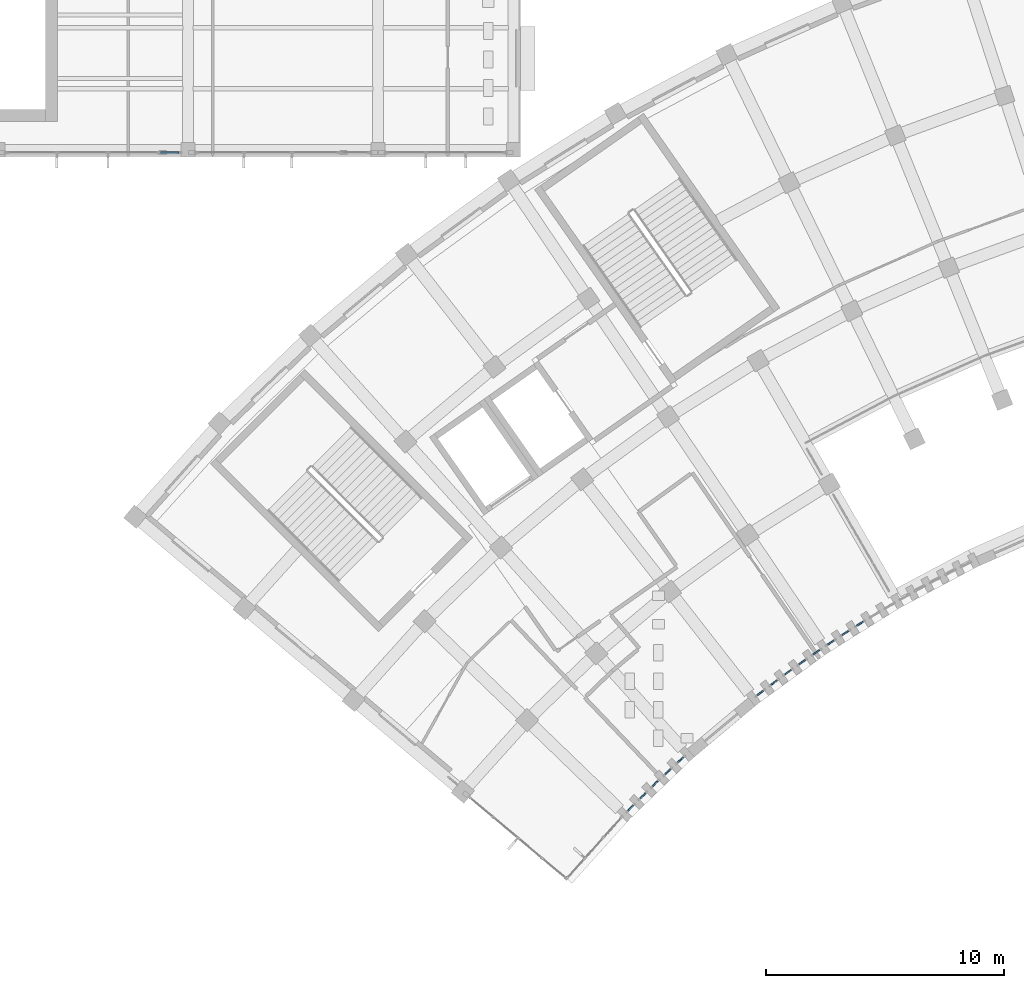
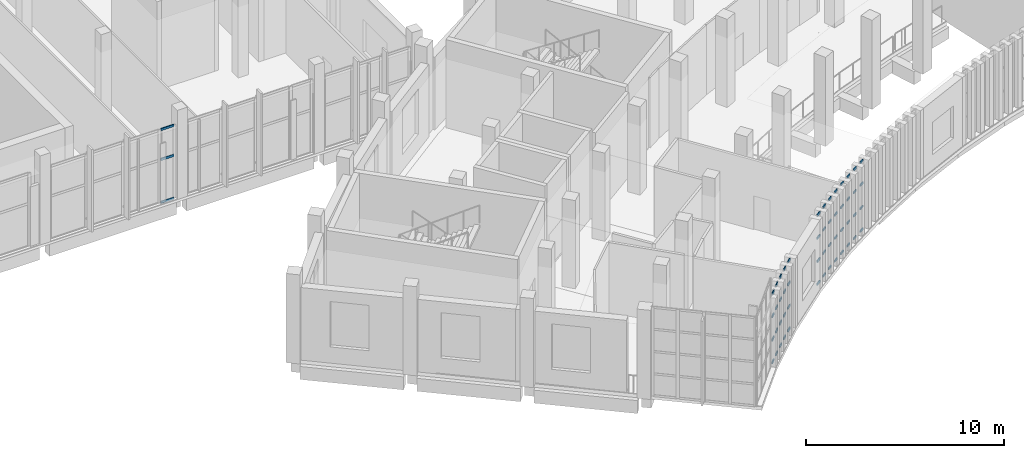
# One storey, part 30 of 112: 55 members, 14 elements without a shape of their own.
"""IFC4 building model written with IfcOpenShell, lengths in metres."""

import ifcopenshell
import ifcopenshell.guid

model = None  # the IFC model being written
_history = None  # IfcOwnerHistory: only IFC2X3 demands one
_inside = {}  # id of a spatial element -> (the spatial element, [elements in it])
_under = {}  # id of a project, library or spatial element -> (it, [spatial elements below it])
_declared = {}  # id of a project -> (the project, [libraries it declares])
_typed = {}  # id of a type object -> (the type object, [elements of that type])
_made_of = {}  # id of a material, layer set ... -> (it, [elements and type objects made of it])


def new_model(schema):
    """Start an empty IFC model of exactly this schema.

    Asked for "IFC4X3", IfcOpenShell would pick the latest addendum, in which some entities
    have other attributes; the version numbers below select the first issue.
    IFC2X3 requires an IfcOwnerHistory on every rooted entity: one is made here for all.
    """
    global model, _history
    if schema == "IFC4X3":
        model = ifcopenshell.file(schema_version=(4, 3, 0, 0))
    else:
        model = ifcopenshell.file(schema=schema)
    _inside.clear()
    _under.clear()
    _declared.clear()
    _typed.clear()
    _made_of.clear()
    _history = None
    if model.schema == "IFC2X3":
        org = make("IfcOrganization", Name="unknown")
        user = make(
            "IfcPersonAndOrganization",
            ThePerson=make("IfcPerson", FamilyName="unknown"),
            TheOrganization=org,
        )
        app = make(
            "IfcApplication",
            ApplicationDeveloper=org,
            Version="unknown",
            ApplicationFullName="unknown",
            ApplicationIdentifier="unknown",
        )
        _history = make(
            "IfcOwnerHistory",
            OwningUser=user,
            OwningApplication=app,
            ChangeAction="ADDED",
            CreationDate=0,
        )
    return model


def make(cls, **values):
    """One entity of the class cls with the attributes given. An attribute that is None is left unset."""
    return model.create_entity(
        cls, **{name: value for name, value in values.items() if value is not None}
    )


def rooted(cls, **values):
    """An entity with a GlobalId (a new one), such as an element, a storey or a relation."""
    return make(cls, GlobalId=ifcopenshell.guid.new(), OwnerHistory=_history, **values)


def si_unit(unit_type, name, prefix=None):
    """IfcSIUnit, for example si_unit("LENGTHUNIT", "METRE", prefix="MILLI")."""
    return make("IfcSIUnit", UnitType=unit_type, Prefix=prefix, Name=name)


def assignment(units):
    """IfcUnitAssignment: the units of a project."""
    return None if units is None else make("IfcUnitAssignment", Units=units)


def point(xyz):
    """IfcCartesianPoint."""
    return None if xyz is None else make("IfcCartesianPoint", Coordinates=xyz)


def direction(xyz):
    """IfcDirection."""
    return None if xyz is None else make("IfcDirection", DirectionRatios=xyz)


def frame(location, z_axis=None, x_axis=None):
    """IfcAxis2Placement3D, a coordinate frame: its origin and axes. An axis left out is left unset."""
    return make(
        "IfcAxis2Placement3D",
        Location=point(location),
        Axis=direction(z_axis),
        RefDirection=direction(x_axis),
    )


def frame_2d(location, x_axis=None):
    """IfcAxis2Placement2D, a coordinate frame in the plane: its origin and x axis."""
    return make(
        "IfcAxis2Placement2D", Location=point(location), RefDirection=direction(x_axis)
    )


def origin():
    """The frame at (0, 0, 0) with its axes left unset."""
    return frame((0.0, 0.0, 0.0))


def origin_2d():
    """The frame at (0, 0) in the plane with its x axis left unset."""
    return frame_2d((0.0, 0.0))


def place(relative_to, where):
    """IfcLocalPlacement: puts the frame where relative to a parent placement (None: the world)."""
    return make(
        "IfcLocalPlacement", PlacementRelTo=relative_to, RelativePlacement=where
    )


def context(
    kind, dimensions, precision=None, world=None, true_north=None, identifier=None
):
    """IfcGeometricRepresentationContext, for example the 3D "Model" context."""
    return make(
        "IfcGeometricRepresentationContext",
        ContextIdentifier=identifier,
        ContextType=kind,
        CoordinateSpaceDimension=dimensions,
        Precision=precision,
        WorldCoordinateSystem=world,
        TrueNorth=true_north,
    )


def subcontext(parent, identifier, kind, view, scale=None):
    """IfcGeometricRepresentationSubContext, for example "Body" below "Model"."""
    return make(
        "IfcGeometricRepresentationSubContext",
        ContextIdentifier=identifier,
        ContextType=kind,
        ParentContext=parent,
        TargetScale=scale,
        TargetView=view,
    )


def project(units=None, contexts=None):
    """IfcProject with its units and contexts."""
    return rooted(
        "IfcProject",
        Name="project",
        RepresentationContexts=contexts,
        UnitsInContext=assignment(units),
    )


def spatial(cls, under=None, at=None, **own):
    """A site, building, storey or space (cls), placed at a placement, below another one or the project."""
    s = rooted(cls, ObjectPlacement=at, **own)
    if under is not None:
        _under.setdefault(under.id(), (under, []))[1].append(s)
    return s


def profile(cls, at=None, kind="AREA", **sizes):
    """A parametric profile (cls). Its sizes go by their IFC names, for example OverallWidth=200.0."""
    return make(cls, ProfileType=kind, Position=at, **sizes)


def rectangle(**sizes):
    """IfcRectangleProfileDef."""
    return profile("IfcRectangleProfileDef", **sizes)


def extrude(swept, where, along, depth):
    """IfcExtrudedAreaSolid: the profile swept, set in the frame where, extruded along a direction by depth."""
    return make(
        "IfcExtrudedAreaSolid",
        SweptArea=swept,
        Position=where,
        ExtrudedDirection=direction(along),
        Depth=depth,
    )


def shape(context_of_items, identifier, shape_type, items):
    """IfcShapeRepresentation: the items that make up one representation, for example the "Body"."""
    return make(
        "IfcShapeRepresentation",
        ContextOfItems=context_of_items,
        RepresentationIdentifier=identifier,
        RepresentationType=shape_type,
        Items=items,
    )


def material(Name=None, Category=None):
    """IfcMaterial."""
    return make("IfcMaterial", Name=Name, Category=Category)


def layer(
    of_material, thickness, ventilated=None, Name=None, Category=None, Priority=None
):
    """IfcMaterialLayer: one layer of a wall or slab, of a material (None: an air gap)."""
    return make(
        "IfcMaterialLayer",
        Material=of_material,
        LayerThickness=thickness,
        IsVentilated=ventilated,
        Name=Name,
        Category=Category,
        Priority=Priority,
    )


def layer_set(layers, Name=None):
    """IfcMaterialLayerSet."""
    return make("IfcMaterialLayerSet", MaterialLayers=layers, LayerSetName=Name)


def material_profile(
    of_material, cross_section, Name=None, Category=None, Priority=None
):
    """IfcMaterialProfile: a cross section and its material."""
    return make(
        "IfcMaterialProfile",
        Name=Name,
        Material=of_material,
        Profile=cross_section,
        Priority=Priority,
        Category=Category,
    )


def profile_set(profiles, Name=None, composite=None):
    """IfcMaterialProfileSet."""
    return make(
        "IfcMaterialProfileSet",
        Name=Name,
        MaterialProfiles=profiles,
        CompositeProfile=composite,
    )


def made_of(thing, what):
    """Note that an element or type object is made of a material, layer set ...; save() writes the relation."""
    if what is not None:
        _made_of.setdefault(what.id(), (what, []))[1].append(thing)
    return thing


def type_object(cls, material=None, **own):
    """A type object (cls), such as IfcWallType, which elements share."""
    return made_of(rooted(cls, **own), material)


def element(
    cls,
    number,
    at=None,
    inside=None,
    cuts=None,
    type_object=None,
    material=None,
    context=None,
    identifier="Body",
    shape_type=None,
    held_by="IfcProductDefinitionShape",
    body=None,
    shapes=None,
    **own,
):
    """One element of the class cls, such as IfcWall. Its Tag is "e" and its number.

    at: its placement. inside: the storey or other place that contains it. cuts: it is an
    opening in that element (IfcRelVoidsElement). A single representation is given by context,
    identifier, shape_type and body (its items); several are given by shapes. held_by: the class
    of the entity that holds the representations. save() writes the other relations.
    """
    e = rooted(cls, Tag="e%d" % number, ObjectPlacement=at, **own)
    if body is not None:
        shapes = [shape(context, identifier, shape_type, body)]
    if shapes is not None:
        e.Representation = make(held_by, Representations=shapes)
    if inside is not None:
        _inside.setdefault(inside.id(), (inside, []))[1].append(e)
    if cuts is not None:
        rooted(
            "IfcRelVoidsElement", RelatingBuildingElement=cuts, RelatedOpeningElement=e
        )
    if type_object is not None:
        _typed.setdefault(type_object.id(), (type_object, []))[1].append(e)
    return made_of(e, material)


def aggregate(whole, parts):
    """IfcRelAggregates: a whole, such as a stair, and the parts it consists of."""
    return rooted("IfcRelAggregates", RelatingObject=whole, RelatedObjects=parts)


def save(model, path):
    """Write the relations noted so far, then the file.

    IfcRelAggregates (storeys below a building ...), IfcRelContainedInSpatialStructure (elements
    in a storey), IfcRelDefinesByType, IfcRelAssociatesMaterial and IfcRelDeclares: one each for
    every whole, place, type object, material and project.
    """
    for whole, parts in _under.values():
        aggregate(whole, parts)
    for where, things in _inside.values():
        rooted(
            "IfcRelContainedInSpatialStructure",
            RelatedElements=things,
            RelatingStructure=where,
        )
    for kind, things in _typed.values():
        rooted("IfcRelDefinesByType", RelatedObjects=things, RelatingType=kind)
    for what, things in _made_of.values():
        rooted("IfcRelAssociatesMaterial", RelatedObjects=things, RelatingMaterial=what)
    for by, libraries in _declared.values():
        rooted("IfcRelDeclares", RelatingContext=by, RelatedDefinitions=libraries)
    model.write(path)


model = new_model("IFC4")

# Units and contexts
model_context = context("Model", 3, precision=1e-05, world=origin(), true_north=direction((0.0, 1.0)))
body_context = subcontext(model_context, "Body", "Model", "MODEL_VIEW")
ifc_project = project(units=[si_unit("LENGTHUNIT", "METRE"), si_unit("AREAUNIT", "SQUARE_METRE"), si_unit("VOLUMEUNIT", "CUBIC_METRE"), si_unit("PLANEANGLEUNIT", "RADIAN"), si_unit("MASSUNIT", "GRAM", prefix="KILO")], contexts=[model_context])

# Site, building, storey
site_placement = place(None, origin())
site = spatial("IfcSite", under=ifc_project, at=site_placement, CompositionType="ELEMENT")
building_placement = place(site_placement, origin())
building = spatial("IfcBuilding", under=site, at=building_placement, Name="Lunette Opera House", CompositionType="ELEMENT")
storey_placement = place(building_placement, frame((0.0, 0.0, 6.0)))
storey = spatial("IfcBuildingStorey", under=building, at=storey_placement, Name="L01", CompositionType="ELEMENT", Elevation=6.0)

# Curtain wall, members
ifc_material_1 = material(Name="Aluminium", Category="aluminium")
ifc_layer_1 = layer(ifc_material_1, 0.1201171875)
ifc_layer_set_1 = layer_set([ifc_layer_1], Name="Aluminium")
curtain_wall_type_1 = type_object("IfcCurtainWallType", Name="SLOT CURTAIN WALL", PredefinedType="NOTDEFINED", material=ifc_layer_set_1)
curtain_wall_1_placement = place(storey_placement, origin())
curtain_wall_1 = element("IfcCurtainWall", 1, at=curtain_wall_1_placement, inside=storey, type_object=curtain_wall_type_1, Name="Slot Curtain Wall CS001 L01", PredefinedType="NOTDEFINED")
ifc_material_2 = material(Name="Aluminium", Category="aluminium")
ifc_material_profile_1 = material_profile(ifc_material_2, rectangle(XDim=0.06005859375, YDim=0.1201171875, at=origin_2d()), Name="TRANSOM 60 X 120")
ifc_profile_set_1 = profile_set([ifc_material_profile_1], Name="Aluminium")
member_type_1 = type_object("IfcMemberType", Name="TRANSOM 60 X 120", PredefinedType="USERDEFINED", material=ifc_profile_set_1)
member_1_placement = place(storey_placement, frame((58.52490234375, 36.48095703125, 0.030029296875), z_axis=(0.698805007599, 0.715312212502, 0.0), x_axis=(-0.715312212502, 0.698805007599, 0.0)))
member_1 = element("IfcMember", 2, at=member_1_placement, type_object=member_type_1, Name="FC-X2002 transom 1.1", ObjectType="TRANSOM", PredefinedType="USERDEFINED", context=body_context, shape_type="SweptSolid", body=[
    extrude(rectangle(XDim=0.06005859375, YDim=0.1201171875, at=origin_2d()), origin(), (0.0, 0.0, 1.0), 0.310546875),
])
member_2_placement = place(storey_placement, frame((58.52490234375, 36.48095703125, 1.43310546875), z_axis=(0.698805007599, 0.715312212502, 0.0), x_axis=(-0.715312212502, 0.698805007599, 0.0)))
member_2 = element("IfcMember", 3, at=member_2_placement, type_object=member_type_1, Name="FC-X2002 transom 1.2", ObjectType="TRANSOM", PredefinedType="USERDEFINED", context=body_context, shape_type="SweptSolid", body=[
    extrude(rectangle(XDim=0.06005859375, YDim=0.1201171875, at=origin_2d()), origin(), (0.0, 0.0, 1.0), 0.310546875),
])
member_3_placement = place(storey_placement, frame((58.52490234375, 36.48095703125, 2.866943359375), z_axis=(0.698805007599, 0.715312212502, 0.0), x_axis=(-0.715312212502, 0.698805007599, 0.0)))
member_3 = element("IfcMember", 4, at=member_3_placement, type_object=member_type_1, Name="FC-X2002 transom 1.3", ObjectType="TRANSOM", PredefinedType="USERDEFINED", context=body_context, shape_type="SweptSolid", body=[
    extrude(rectangle(XDim=0.06005859375, YDim=0.1201171875, at=origin_2d()), origin(), (0.0, 0.0, 1.0), 0.310546875),
])
member_4_placement = place(storey_placement, frame((58.52490234375, 36.48095703125, 4.27001953125), z_axis=(0.698805007599, 0.715312212502, 0.0), x_axis=(-0.715312212502, 0.698805007599, 0.0)))
member_4 = element("IfcMember", 5, at=member_4_placement, type_object=member_type_1, Name="FC-X2002 transom 1.4", ObjectType="TRANSOM", PredefinedType="USERDEFINED", context=body_context, shape_type="SweptSolid", body=[
    extrude(rectangle(XDim=0.06005859375, YDim=0.1201171875, at=origin_2d()), origin(), (0.0, 0.0, 1.0), 0.310546875),
])
aggregate(curtain_wall_1, [member_1, member_2, member_3, member_4])

curtain_wall_2_placement = place(storey_placement, origin())
curtain_wall_2 = element("IfcCurtainWall", 6, at=curtain_wall_2_placement, inside=storey, type_object=curtain_wall_type_1, Name="Slot Curtain Wall CS002 L01", PredefinedType="NOTDEFINED")
member_5_placement = place(storey_placement, frame((59.03759765625, 37.001220703125, 0.030029296875), z_axis=(0.710635387605, 0.703560477773, 0.0), x_axis=(-0.703560477773, 0.710635387605, 0.0)))
member_5 = element("IfcMember", 7, at=member_5_placement, type_object=member_type_1, Name="FC-X2004 transom 1.1", ObjectType="TRANSOM", PredefinedType="USERDEFINED", context=body_context, shape_type="SweptSolid", body=[
    extrude(rectangle(XDim=0.06005859375, YDim=0.1201171875, at=origin_2d()), origin(), (0.0, 0.0, 1.0), 0.310546875),
])
member_6_placement = place(storey_placement, frame((59.03759765625, 37.001220703125, 1.43310546875), z_axis=(0.710635387605, 0.703560477773, 0.0), x_axis=(-0.703560477773, 0.710635387605, 0.0)))
member_6 = element("IfcMember", 8, at=member_6_placement, type_object=member_type_1, Name="FC-X2004 transom 1.2", ObjectType="TRANSOM", PredefinedType="USERDEFINED", context=body_context, shape_type="SweptSolid", body=[
    extrude(rectangle(XDim=0.06005859375, YDim=0.1201171875, at=origin_2d()), origin(), (0.0, 0.0, 1.0), 0.310546875),
])
member_7_placement = place(storey_placement, frame((59.03759765625, 37.001220703125, 2.866943359375), z_axis=(0.710635387605, 0.703560477773, 0.0), x_axis=(-0.703560477773, 0.710635387605, 0.0)))
member_7 = element("IfcMember", 9, at=member_7_placement, type_object=member_type_1, Name="FC-X2004 transom 1.3", ObjectType="TRANSOM", PredefinedType="USERDEFINED", context=body_context, shape_type="SweptSolid", body=[
    extrude(rectangle(XDim=0.06005859375, YDim=0.1201171875, at=origin_2d()), origin(), (0.0, 0.0, 1.0), 0.310546875),
])
member_8_placement = place(storey_placement, frame((59.03759765625, 37.001220703125, 4.27001953125), z_axis=(0.710635387605, 0.703560477773, 0.0), x_axis=(-0.703560477773, 0.710635387605, 0.0)))
member_8 = element("IfcMember", 10, at=member_8_placement, type_object=member_type_1, Name="FC-X2004 transom 1.4", ObjectType="TRANSOM", PredefinedType="USERDEFINED", context=body_context, shape_type="SweptSolid", body=[
    extrude(rectangle(XDim=0.06005859375, YDim=0.1201171875, at=origin_2d()), origin(), (0.0, 0.0, 1.0), 0.310546875),
])
aggregate(curtain_wall_2, [member_5, member_6, member_7, member_8])

curtain_wall_3_placement = place(storey_placement, origin())
curtain_wall_3 = element("IfcCurtainWall", 11, at=curtain_wall_3_placement, inside=storey, type_object=curtain_wall_type_1, Name="Slot Curtain Wall CS003 L01", PredefinedType="NOTDEFINED")
member_9_placement = place(storey_placement, frame((59.55810546875, 37.513671875, 0.030029296875), z_axis=(0.71843703481, 0.695591997519, 0.0), x_axis=(-0.695591997519, 0.71843703481, 0.0)))
member_9 = element("IfcMember", 12, at=member_9_placement, type_object=member_type_1, Name="FC-X2006 transom 1.1", ObjectType="TRANSOM", PredefinedType="USERDEFINED", context=body_context, shape_type="SweptSolid", body=[
    extrude(rectangle(XDim=0.06005859375, YDim=0.1201171875, at=origin_2d()), origin(), (0.0, 0.0, 1.0), 0.309814453125),
])
member_10_placement = place(storey_placement, frame((59.55810546875, 37.513671875, 1.43310546875), z_axis=(0.71843703481, 0.695591997519, 0.0), x_axis=(-0.695591997519, 0.71843703481, 0.0)))
member_10 = element("IfcMember", 13, at=member_10_placement, type_object=member_type_1, Name="FC-X2006 transom 1.2", ObjectType="TRANSOM", PredefinedType="USERDEFINED", context=body_context, shape_type="SweptSolid", body=[
    extrude(rectangle(XDim=0.06005859375, YDim=0.1201171875, at=origin_2d()), origin(), (0.0, 0.0, 1.0), 0.309814453125),
])
member_11_placement = place(storey_placement, frame((59.55810546875, 37.513671875, 2.866943359375), z_axis=(0.71843703481, 0.695591997519, 0.0), x_axis=(-0.695591997519, 0.71843703481, 0.0)))
member_11 = element("IfcMember", 14, at=member_11_placement, type_object=member_type_1, Name="FC-X2006 transom 1.3", ObjectType="TRANSOM", PredefinedType="USERDEFINED", context=body_context, shape_type="SweptSolid", body=[
    extrude(rectangle(XDim=0.06005859375, YDim=0.1201171875, at=origin_2d()), origin(), (0.0, 0.0, 1.0), 0.309814453125),
])
member_12_placement = place(storey_placement, frame((59.55810546875, 37.513671875, 4.27001953125), z_axis=(0.71843703481, 0.695591997519, 0.0), x_axis=(-0.695591997519, 0.71843703481, 0.0)))
member_12 = element("IfcMember", 15, at=member_12_placement, type_object=member_type_1, Name="FC-X2006 transom 1.4", ObjectType="TRANSOM", PredefinedType="USERDEFINED", context=body_context, shape_type="SweptSolid", body=[
    extrude(rectangle(XDim=0.06005859375, YDim=0.1201171875, at=origin_2d()), origin(), (0.0, 0.0, 1.0), 0.309814453125),
])
aggregate(curtain_wall_3, [member_9, member_10, member_11, member_12])

curtain_wall_4_placement = place(storey_placement, origin())
curtain_wall_4 = element("IfcCurtainWall", 16, at=curtain_wall_4_placement, inside=storey, type_object=curtain_wall_type_1, Name="Slot Curtain Wall CS004 L01", PredefinedType="NOTDEFINED")
member_13_placement = place(storey_placement, frame((60.085693359375, 38.01806640625, 0.030029296875), z_axis=(0.727275036379, 0.686346138228, 0.0), x_axis=(-0.686346138228, 0.727275036379, 0.0)))
member_13 = element("IfcMember", 17, at=member_13_placement, type_object=member_type_1, Name="FC-X2008 transom 1.1", ObjectType="TRANSOM", PredefinedType="USERDEFINED", context=body_context, shape_type="SweptSolid", body=[
    extrude(rectangle(XDim=0.06005859375, YDim=0.1201171875, at=origin_2d()), origin(), (0.0, 0.0, 1.0), 0.31005859375),
])
member_14_placement = place(storey_placement, frame((60.085693359375, 38.01806640625, 1.43310546875), z_axis=(0.727275036379, 0.686346138228, 0.0), x_axis=(-0.686346138228, 0.727275036379, 0.0)))
member_14 = element("IfcMember", 18, at=member_14_placement, type_object=member_type_1, Name="FC-X2008 transom 1.2", ObjectType="TRANSOM", PredefinedType="USERDEFINED", context=body_context, shape_type="SweptSolid", body=[
    extrude(rectangle(XDim=0.06005859375, YDim=0.1201171875, at=origin_2d()), origin(), (0.0, 0.0, 1.0), 0.31005859375),
])
member_15_placement = place(storey_placement, frame((60.085693359375, 38.01806640625, 2.866943359375), z_axis=(0.727275036379, 0.686346138228, 0.0), x_axis=(-0.686346138228, 0.727275036379, 0.0)))
member_15 = element("IfcMember", 19, at=member_15_placement, type_object=member_type_1, Name="FC-X2008 transom 1.3", ObjectType="TRANSOM", PredefinedType="USERDEFINED", context=body_context, shape_type="SweptSolid", body=[
    extrude(rectangle(XDim=0.06005859375, YDim=0.1201171875, at=origin_2d()), origin(), (0.0, 0.0, 1.0), 0.31005859375),
])
member_16_placement = place(storey_placement, frame((60.085693359375, 38.01806640625, 4.27001953125), z_axis=(0.727275036379, 0.686346138228, 0.0), x_axis=(-0.686346138228, 0.727275036379, 0.0)))
member_16 = element("IfcMember", 20, at=member_16_placement, type_object=member_type_1, Name="FC-X2008 transom 1.4", ObjectType="TRANSOM", PredefinedType="USERDEFINED", context=body_context, shape_type="SweptSolid", body=[
    extrude(rectangle(XDim=0.06005859375, YDim=0.1201171875, at=origin_2d()), origin(), (0.0, 0.0, 1.0), 0.31005859375),
])
aggregate(curtain_wall_4, [member_13, member_14, member_15, member_16])

curtain_wall_5_placement = place(storey_placement, origin())
curtain_wall_5 = element("IfcCurtainWall", 21, at=curtain_wall_5_placement, inside=storey, type_object=curtain_wall_type_1, Name="Slot Curtain Wall CS005 L01", PredefinedType="NOTDEFINED")
member_17_placement = place(storey_placement, frame((60.619384765625, 38.516357421875, 0.030029296875), z_axis=(0.738621715526, 0.674120138665, 0.0), x_axis=(-0.674120138665, 0.738621715526, 0.0)))
member_17 = element("IfcMember", 22, at=member_17_placement, type_object=member_type_1, Name="FC-X2010 transom 1.1", ObjectType="TRANSOM", PredefinedType="USERDEFINED", context=body_context, shape_type="SweptSolid", body=[
    extrude(rectangle(XDim=0.06005859375, YDim=0.1201171875, at=origin_2d()), origin(), (0.0, 0.0, 1.0), 0.310302734375),
])
member_18_placement = place(storey_placement, frame((60.619384765625, 38.516357421875, 1.43310546875), z_axis=(0.738621715526, 0.674120138665, 0.0), x_axis=(-0.674120138665, 0.738621715526, 0.0)))
member_18 = element("IfcMember", 23, at=member_18_placement, type_object=member_type_1, Name="FC-X2010 transom 1.2", ObjectType="TRANSOM", PredefinedType="USERDEFINED", context=body_context, shape_type="SweptSolid", body=[
    extrude(rectangle(XDim=0.06005859375, YDim=0.1201171875, at=origin_2d()), origin(), (0.0, 0.0, 1.0), 0.310302734375),
])
member_19_placement = place(storey_placement, frame((60.619384765625, 38.516357421875, 2.866943359375), z_axis=(0.738621715526, 0.674120138665, 0.0), x_axis=(-0.674120138665, 0.738621715526, 0.0)))
member_19 = element("IfcMember", 24, at=member_19_placement, type_object=member_type_1, Name="FC-X2010 transom 1.3", ObjectType="TRANSOM", PredefinedType="USERDEFINED", context=body_context, shape_type="SweptSolid", body=[
    extrude(rectangle(XDim=0.06005859375, YDim=0.1201171875, at=origin_2d()), origin(), (0.0, 0.0, 1.0), 0.310302734375),
])
member_20_placement = place(storey_placement, frame((60.619384765625, 38.516357421875, 4.27001953125), z_axis=(0.738621715526, 0.674120138665, 0.0), x_axis=(-0.674120138665, 0.738621715526, 0.0)))
member_20 = element("IfcMember", 25, at=member_20_placement, type_object=member_type_1, Name="FC-X2010 transom 1.4", ObjectType="TRANSOM", PredefinedType="USERDEFINED", context=body_context, shape_type="SweptSolid", body=[
    extrude(rectangle(XDim=0.06005859375, YDim=0.1201171875, at=origin_2d()), origin(), (0.0, 0.0, 1.0), 0.310302734375),
])
aggregate(curtain_wall_5, [member_17, member_18, member_19, member_20])

curtain_wall_6_placement = place(storey_placement, origin())
curtain_wall_6 = element("IfcCurtainWall", 26, at=curtain_wall_6_placement, inside=storey, type_object=curtain_wall_type_1, Name="Slot Curtain Wall CS006 L01", PredefinedType="NOTDEFINED")
member_21_placement = place(storey_placement, frame((63.966552734375, 41.341552734375, 0.030029296875), z_axis=(0.791717068558, 0.610887946643, 0.0), x_axis=(-0.610887946643, 0.791717068558, 0.0)))
member_21 = element("IfcMember", 27, at=member_21_placement, type_object=member_type_1, Name="FC-X2012 transom 1.1", ObjectType="TRANSOM", PredefinedType="USERDEFINED", context=body_context, shape_type="SweptSolid", body=[
    extrude(rectangle(XDim=0.06005859375, YDim=0.1201171875, at=origin_2d()), origin(), (0.0, 0.0, 1.0), 0.310546875),
])
member_22_placement = place(storey_placement, frame((63.966552734375, 41.341552734375, 1.43310546875), z_axis=(0.791717068558, 0.610887946643, 0.0), x_axis=(-0.610887946643, 0.791717068558, 0.0)))
member_22 = element("IfcMember", 28, at=member_22_placement, type_object=member_type_1, Name="FC-X2012 transom 1.2", ObjectType="TRANSOM", PredefinedType="USERDEFINED", context=body_context, shape_type="SweptSolid", body=[
    extrude(rectangle(XDim=0.06005859375, YDim=0.1201171875, at=origin_2d()), origin(), (0.0, 0.0, 1.0), 0.310546875),
])
member_23_placement = place(storey_placement, frame((63.966552734375, 41.341552734375, 2.866943359375), z_axis=(0.791717068558, 0.610887946643, 0.0), x_axis=(-0.610887946643, 0.791717068558, 0.0)))
member_23 = element("IfcMember", 29, at=member_23_placement, type_object=member_type_1, Name="FC-X2012 transom 1.3", ObjectType="TRANSOM", PredefinedType="USERDEFINED", context=body_context, shape_type="SweptSolid", body=[
    extrude(rectangle(XDim=0.06005859375, YDim=0.1201171875, at=origin_2d()), origin(), (0.0, 0.0, 1.0), 0.310546875),
])
member_24_placement = place(storey_placement, frame((63.966552734375, 41.341552734375, 4.27001953125), z_axis=(0.791717068558, 0.610887946643, 0.0), x_axis=(-0.610887946643, 0.791717068558, 0.0)))
member_24 = element("IfcMember", 30, at=member_24_placement, type_object=member_type_1, Name="FC-X2012 transom 1.4", ObjectType="TRANSOM", PredefinedType="USERDEFINED", context=body_context, shape_type="SweptSolid", body=[
    extrude(rectangle(XDim=0.06005859375, YDim=0.1201171875, at=origin_2d()), origin(), (0.0, 0.0, 1.0), 0.310546875),
])
aggregate(curtain_wall_6, [member_21, member_22, member_23, member_24])

curtain_wall_7_placement = place(storey_placement, origin())
curtain_wall_7 = element("IfcCurtainWall", 31, at=curtain_wall_7_placement, inside=storey, type_object=curtain_wall_type_1, Name="Slot Curtain Wall CS007 L01", PredefinedType="NOTDEFINED")
member_25_placement = place(storey_placement, frame((64.547119140625, 41.784912109375, 0.030029296875), z_axis=(0.800847988347, 0.598867681178, 0.0), x_axis=(-0.598867681178, 0.800847988347, 0.0)))
member_25 = element("IfcMember", 32, at=member_25_placement, type_object=member_type_1, Name="FC-X2014 transom 1.1", ObjectType="TRANSOM", PredefinedType="USERDEFINED", context=body_context, shape_type="SweptSolid", body=[
    extrude(rectangle(XDim=0.06005859375, YDim=0.1201171875, at=origin_2d()), origin(), (0.0, 0.0, 1.0), 0.310546875),
])
member_26_placement = place(storey_placement, frame((64.547119140625, 41.784912109375, 1.43310546875), z_axis=(0.800847988347, 0.598867681178, 0.0), x_axis=(-0.598867681178, 0.800847988347, 0.0)))
member_26 = element("IfcMember", 33, at=member_26_placement, type_object=member_type_1, Name="FC-X2014 transom 1.2", ObjectType="TRANSOM", PredefinedType="USERDEFINED", context=body_context, shape_type="SweptSolid", body=[
    extrude(rectangle(XDim=0.06005859375, YDim=0.1201171875, at=origin_2d()), origin(), (0.0, 0.0, 1.0), 0.310546875),
])
member_27_placement = place(storey_placement, frame((64.547119140625, 41.784912109375, 2.866943359375), z_axis=(0.800847988347, 0.598867681178, 0.0), x_axis=(-0.598867681178, 0.800847988347, 0.0)))
member_27 = element("IfcMember", 34, at=member_27_placement, type_object=member_type_1, Name="FC-X2014 transom 1.3", ObjectType="TRANSOM", PredefinedType="USERDEFINED", context=body_context, shape_type="SweptSolid", body=[
    extrude(rectangle(XDim=0.06005859375, YDim=0.1201171875, at=origin_2d()), origin(), (0.0, 0.0, 1.0), 0.310546875),
])
member_28_placement = place(storey_placement, frame((64.547119140625, 41.784912109375, 4.27001953125), z_axis=(0.800847988347, 0.598867681178, 0.0), x_axis=(-0.598867681178, 0.800847988347, 0.0)))
member_28 = element("IfcMember", 35, at=member_28_placement, type_object=member_type_1, Name="FC-X2014 transom 1.4", ObjectType="TRANSOM", PredefinedType="USERDEFINED", context=body_context, shape_type="SweptSolid", body=[
    extrude(rectangle(XDim=0.06005859375, YDim=0.1201171875, at=origin_2d()), origin(), (0.0, 0.0, 1.0), 0.310546875),
])
aggregate(curtain_wall_7, [member_25, member_26, member_27, member_28])

curtain_wall_8_placement = place(storey_placement, origin())
curtain_wall_8 = element("IfcCurtainWall", 36, at=curtain_wall_8_placement, inside=storey, type_object=curtain_wall_type_1, Name="Slot Curtain Wall CS008 L01", PredefinedType="NOTDEFINED")
member_29_placement = place(storey_placement, frame((65.133544921875, 42.22021484375, 0.030029296875), z_axis=(0.808600006297, 0.588358759446, 0.0), x_axis=(-0.588358759446, 0.808600006297, 0.0)))
member_29 = element("IfcMember", 37, at=member_29_placement, type_object=member_type_1, Name="FC-X2016 transom 1.1", ObjectType="TRANSOM", PredefinedType="USERDEFINED", context=body_context, shape_type="SweptSolid", body=[
    extrude(rectangle(XDim=0.06005859375, YDim=0.1201171875, at=origin_2d()), origin(), (0.0, 0.0, 1.0), 0.310302734375),
])
member_30_placement = place(storey_placement, frame((65.133544921875, 42.22021484375, 1.43310546875), z_axis=(0.808600006297, 0.588358759446, 0.0), x_axis=(-0.588358759446, 0.808600006297, 0.0)))
member_30 = element("IfcMember", 38, at=member_30_placement, type_object=member_type_1, Name="FC-X2016 transom 1.2", ObjectType="TRANSOM", PredefinedType="USERDEFINED", context=body_context, shape_type="SweptSolid", body=[
    extrude(rectangle(XDim=0.06005859375, YDim=0.1201171875, at=origin_2d()), origin(), (0.0, 0.0, 1.0), 0.310302734375),
])
member_31_placement = place(storey_placement, frame((65.133544921875, 42.22021484375, 2.866943359375), z_axis=(0.808600006297, 0.588358759446, 0.0), x_axis=(-0.588358759446, 0.808600006297, 0.0)))
member_31 = element("IfcMember", 39, at=member_31_placement, type_object=member_type_1, Name="FC-X2016 transom 1.3", ObjectType="TRANSOM", PredefinedType="USERDEFINED", context=body_context, shape_type="SweptSolid", body=[
    extrude(rectangle(XDim=0.06005859375, YDim=0.1201171875, at=origin_2d()), origin(), (0.0, 0.0, 1.0), 0.310302734375),
])
member_32_placement = place(storey_placement, frame((65.133544921875, 42.22021484375, 4.27001953125), z_axis=(0.808600006297, 0.588358759446, 0.0), x_axis=(-0.588358759446, 0.808600006297, 0.0)))
member_32 = element("IfcMember", 40, at=member_32_placement, type_object=member_type_1, Name="FC-X2016 transom 1.4", ObjectType="TRANSOM", PredefinedType="USERDEFINED", context=body_context, shape_type="SweptSolid", body=[
    extrude(rectangle(XDim=0.06005859375, YDim=0.1201171875, at=origin_2d()), origin(), (0.0, 0.0, 1.0), 0.310302734375),
])
aggregate(curtain_wall_8, [member_29, member_30, member_31, member_32])

curtain_wall_9_placement = place(storey_placement, origin())
curtain_wall_9 = element("IfcCurtainWall", 41, at=curtain_wall_9_placement, inside=storey, type_object=curtain_wall_type_1, Name="Slot Curtain Wall CS009 L01", PredefinedType="NOTDEFINED")
member_33_placement = place(storey_placement, frame((65.72607421875, 42.646484375, 0.030029296875), z_axis=(0.817381498567, 0.57609676774, 0.0), x_axis=(-0.57609676774, 0.817381498567, 0.0)))
member_33 = element("IfcMember", 42, at=member_33_placement, type_object=member_type_1, Name="FC-X2018 transom 1.1", ObjectType="TRANSOM", PredefinedType="USERDEFINED", context=body_context, shape_type="SweptSolid", body=[
    extrude(rectangle(XDim=0.06005859375, YDim=0.1201171875, at=origin_2d()), origin(), (0.0, 0.0, 1.0), 0.310546875),
])
member_34_placement = place(storey_placement, frame((65.72607421875, 42.646484375, 1.43310546875), z_axis=(0.817381498567, 0.57609676774, 0.0), x_axis=(-0.57609676774, 0.817381498567, 0.0)))
member_34 = element("IfcMember", 43, at=member_34_placement, type_object=member_type_1, Name="FC-X2018 transom 1.2", ObjectType="TRANSOM", PredefinedType="USERDEFINED", context=body_context, shape_type="SweptSolid", body=[
    extrude(rectangle(XDim=0.06005859375, YDim=0.1201171875, at=origin_2d()), origin(), (0.0, 0.0, 1.0), 0.310546875),
])
member_35_placement = place(storey_placement, frame((65.72607421875, 42.646484375, 2.866943359375), z_axis=(0.817381498567, 0.57609676774, 0.0), x_axis=(-0.57609676774, 0.817381498567, 0.0)))
member_35 = element("IfcMember", 44, at=member_35_placement, type_object=member_type_1, Name="FC-X2018 transom 1.3", ObjectType="TRANSOM", PredefinedType="USERDEFINED", context=body_context, shape_type="SweptSolid", body=[
    extrude(rectangle(XDim=0.06005859375, YDim=0.1201171875, at=origin_2d()), origin(), (0.0, 0.0, 1.0), 0.310546875),
])
member_36_placement = place(storey_placement, frame((65.72607421875, 42.646484375, 4.27001953125), z_axis=(0.817381498567, 0.57609676774, 0.0), x_axis=(-0.57609676774, 0.817381498567, 0.0)))
member_36 = element("IfcMember", 45, at=member_36_placement, type_object=member_type_1, Name="FC-X2018 transom 1.4", ObjectType="TRANSOM", PredefinedType="USERDEFINED", context=body_context, shape_type="SweptSolid", body=[
    extrude(rectangle(XDim=0.06005859375, YDim=0.1201171875, at=origin_2d()), origin(), (0.0, 0.0, 1.0), 0.310546875),
])
aggregate(curtain_wall_9, [member_33, member_34, member_35, member_36])

curtain_wall_10_placement = place(storey_placement, origin())
curtain_wall_10 = element("IfcCurtainWall", 46, at=curtain_wall_10_placement, inside=storey, type_object=curtain_wall_type_1, Name="Slot Curtain Wall CS010 L01", PredefinedType="NOTDEFINED")
member_37_placement = place(storey_placement, frame((66.324462890625, 43.06591796875, 0.030029296875), z_axis=(0.825210771516, 0.564824913202, 0.0), x_axis=(-0.564824913202, 0.825210771516, 0.0)))
member_37 = element("IfcMember", 47, at=member_37_placement, type_object=member_type_1, Name="FC-X2020 transom 1.1", ObjectType="TRANSOM", PredefinedType="USERDEFINED", context=body_context, shape_type="SweptSolid", body=[
    extrude(rectangle(XDim=0.06005859375, YDim=0.1201171875, at=origin_2d()), origin(), (0.0, 0.0, 1.0), 0.310302734375),
])
member_38_placement = place(storey_placement, frame((66.324462890625, 43.06591796875, 1.43310546875), z_axis=(0.825210771516, 0.564824913202, 0.0), x_axis=(-0.564824913202, 0.825210771516, 0.0)))
member_38 = element("IfcMember", 48, at=member_38_placement, type_object=member_type_1, Name="FC-X2020 transom 1.2", ObjectType="TRANSOM", PredefinedType="USERDEFINED", context=body_context, shape_type="SweptSolid", body=[
    extrude(rectangle(XDim=0.06005859375, YDim=0.1201171875, at=origin_2d()), origin(), (0.0, 0.0, 1.0), 0.310302734375),
])
member_39_placement = place(storey_placement, frame((66.324462890625, 43.06591796875, 2.866943359375), z_axis=(0.825210771516, 0.564824913202, 0.0), x_axis=(-0.564824913202, 0.825210771516, 0.0)))
member_39 = element("IfcMember", 49, at=member_39_placement, type_object=member_type_1, Name="FC-X2020 transom 1.3", ObjectType="TRANSOM", PredefinedType="USERDEFINED", context=body_context, shape_type="SweptSolid", body=[
    extrude(rectangle(XDim=0.06005859375, YDim=0.1201171875, at=origin_2d()), origin(), (0.0, 0.0, 1.0), 0.310302734375),
])
member_40_placement = place(storey_placement, frame((66.324462890625, 43.06591796875, 4.27001953125), z_axis=(0.825210771516, 0.564824913202, 0.0), x_axis=(-0.564824913202, 0.825210771516, 0.0)))
member_40 = element("IfcMember", 50, at=member_40_placement, type_object=member_type_1, Name="FC-X2020 transom 1.4", ObjectType="TRANSOM", PredefinedType="USERDEFINED", context=body_context, shape_type="SweptSolid", body=[
    extrude(rectangle(XDim=0.06005859375, YDim=0.1201171875, at=origin_2d()), origin(), (0.0, 0.0, 1.0), 0.310302734375),
])
aggregate(curtain_wall_10, [member_37, member_38, member_39, member_40])

curtain_wall_11_placement = place(storey_placement, origin())
curtain_wall_11 = element("IfcCurtainWall", 51, at=curtain_wall_11_placement, inside=storey, type_object=curtain_wall_type_1, Name="Slot Curtain Wall CS011 L01", PredefinedType="NOTDEFINED")
member_41_placement = place(storey_placement, frame((66.928955078125, 43.47509765625, 0.030029296875), z_axis=(0.832655762321, 0.553790918554, 0.0), x_axis=(-0.553790918554, 0.832655762321, 0.0)))
member_41 = element("IfcMember", 52, at=member_41_placement, type_object=member_type_1, Name="FC-X2022 transom 1.1", ObjectType="TRANSOM", PredefinedType="USERDEFINED", context=body_context, shape_type="SweptSolid", body=[
    extrude(rectangle(XDim=0.06005859375, YDim=0.1201171875, at=origin_2d()), origin(), (0.0, 0.0, 1.0), 0.309814453125),
])
member_42_placement = place(storey_placement, frame((66.928955078125, 43.47509765625, 1.43310546875), z_axis=(0.832655762321, 0.553790918554, 0.0), x_axis=(-0.553790918554, 0.832655762321, 0.0)))
member_42 = element("IfcMember", 53, at=member_42_placement, type_object=member_type_1, Name="FC-X2022 transom 1.2", ObjectType="TRANSOM", PredefinedType="USERDEFINED", context=body_context, shape_type="SweptSolid", body=[
    extrude(rectangle(XDim=0.06005859375, YDim=0.1201171875, at=origin_2d()), origin(), (0.0, 0.0, 1.0), 0.309814453125),
])
member_43_placement = place(storey_placement, frame((66.928955078125, 43.47509765625, 2.866943359375), z_axis=(0.832655762321, 0.553790918554, 0.0), x_axis=(-0.553790918554, 0.832655762321, 0.0)))
member_43 = element("IfcMember", 54, at=member_43_placement, type_object=member_type_1, Name="FC-X2022 transom 1.3", ObjectType="TRANSOM", PredefinedType="USERDEFINED", context=body_context, shape_type="SweptSolid", body=[
    extrude(rectangle(XDim=0.06005859375, YDim=0.1201171875, at=origin_2d()), origin(), (0.0, 0.0, 1.0), 0.309814453125),
])
member_44_placement = place(storey_placement, frame((66.928955078125, 43.47509765625, 4.27001953125), z_axis=(0.832655762321, 0.553790918554, 0.0), x_axis=(-0.553790918554, 0.832655762321, 0.0)))
member_44 = element("IfcMember", 55, at=member_44_placement, type_object=member_type_1, Name="FC-X2022 transom 1.4", ObjectType="TRANSOM", PredefinedType="USERDEFINED", context=body_context, shape_type="SweptSolid", body=[
    extrude(rectangle(XDim=0.06005859375, YDim=0.1201171875, at=origin_2d()), origin(), (0.0, 0.0, 1.0), 0.309814453125),
])
aggregate(curtain_wall_11, [member_41, member_42, member_43, member_44])

curtain_wall_12_placement = place(storey_placement, origin())
curtain_wall_12 = element("IfcCurtainWall", 56, at=curtain_wall_12_placement, inside=storey, type_object=curtain_wall_type_1, Name="Slot Curtain Wall CS012 L01", PredefinedType="NOTDEFINED")
member_45_placement = place(storey_placement, frame((67.53857421875, 43.87744140625, 0.030029296875), z_axis=(0.84089722299, 0.541194845105, 0.0), x_axis=(-0.541194845105, 0.84089722299, 0.0)))
member_45 = element("IfcMember", 57, at=member_45_placement, type_object=member_type_1, Name="FC-X2024 transom 1.1", ObjectType="TRANSOM", PredefinedType="USERDEFINED", context=body_context, shape_type="SweptSolid", body=[
    extrude(rectangle(XDim=0.06005859375, YDim=0.1201171875, at=origin_2d()), origin(), (0.0, 0.0, 1.0), 0.310302734375),
])
member_46_placement = place(storey_placement, frame((67.53857421875, 43.87744140625, 1.43310546875), z_axis=(0.84089722299, 0.541194845105, 0.0), x_axis=(-0.541194845105, 0.84089722299, 0.0)))
member_46 = element("IfcMember", 58, at=member_46_placement, type_object=member_type_1, Name="FC-X2024 transom 1.2", ObjectType="TRANSOM", PredefinedType="USERDEFINED", context=body_context, shape_type="SweptSolid", body=[
    extrude(rectangle(XDim=0.06005859375, YDim=0.1201171875, at=origin_2d()), origin(), (0.0, 0.0, 1.0), 0.310302734375),
])
member_47_placement = place(storey_placement, frame((67.53857421875, 43.87744140625, 2.866943359375), z_axis=(0.84089722299, 0.541194845105, 0.0), x_axis=(-0.541194845105, 0.84089722299, 0.0)))
member_47 = element("IfcMember", 59, at=member_47_placement, type_object=member_type_1, Name="FC-X2024 transom 1.3", ObjectType="TRANSOM", PredefinedType="USERDEFINED", context=body_context, shape_type="SweptSolid", body=[
    extrude(rectangle(XDim=0.06005859375, YDim=0.1201171875, at=origin_2d()), origin(), (0.0, 0.0, 1.0), 0.310302734375),
])
member_48_placement = place(storey_placement, frame((67.53857421875, 43.87744140625, 4.27001953125), z_axis=(0.84089722299, 0.541194845105, 0.0), x_axis=(-0.541194845105, 0.84089722299, 0.0)))
member_48 = element("IfcMember", 60, at=member_48_placement, type_object=member_type_1, Name="FC-X2024 transom 1.4", ObjectType="TRANSOM", PredefinedType="USERDEFINED", context=body_context, shape_type="SweptSolid", body=[
    extrude(rectangle(XDim=0.06005859375, YDim=0.1201171875, at=origin_2d()), origin(), (0.0, 0.0, 1.0), 0.310302734375),
])
aggregate(curtain_wall_12, [member_45, member_46, member_47, member_48])

curtain_wall_13_placement = place(storey_placement, origin())
curtain_wall_13 = element("IfcCurtainWall", 61, at=curtain_wall_13_placement, inside=storey, type_object=curtain_wall_type_1, Name="Slot Curtain Wall CS013 L01", PredefinedType="NOTDEFINED")
member_49_placement = place(storey_placement, frame((68.15380859375, 44.270751953125, 0.030029296875), z_axis=(0.847909914871, 0.530140336385, 0.0), x_axis=(-0.530140336385, 0.847909914871, 0.0)))
member_49 = element("IfcMember", 62, at=member_49_placement, type_object=member_type_1, Name="FC-X2026 transom 1.1", ObjectType="TRANSOM", PredefinedType="USERDEFINED", context=body_context, shape_type="SweptSolid", body=[
    extrude(rectangle(XDim=0.06005859375, YDim=0.1201171875, at=origin_2d()), origin(), (0.0, 0.0, 1.0), 0.310302734375),
])
member_50_placement = place(storey_placement, frame((68.15380859375, 44.270751953125, 1.43310546875), z_axis=(0.847909914871, 0.530140336385, 0.0), x_axis=(-0.530140336385, 0.847909914871, 0.0)))
member_50 = element("IfcMember", 63, at=member_50_placement, type_object=member_type_1, Name="FC-X2026 transom 1.2", ObjectType="TRANSOM", PredefinedType="USERDEFINED", context=body_context, shape_type="SweptSolid", body=[
    extrude(rectangle(XDim=0.06005859375, YDim=0.1201171875, at=origin_2d()), origin(), (0.0, 0.0, 1.0), 0.310302734375),
])
member_51_placement = place(storey_placement, frame((68.15380859375, 44.270751953125, 2.866943359375), z_axis=(0.847909914871, 0.530140336385, 0.0), x_axis=(-0.530140336385, 0.847909914871, 0.0)))
member_51 = element("IfcMember", 64, at=member_51_placement, type_object=member_type_1, Name="FC-X2026 transom 1.3", ObjectType="TRANSOM", PredefinedType="USERDEFINED", context=body_context, shape_type="SweptSolid", body=[
    extrude(rectangle(XDim=0.06005859375, YDim=0.1201171875, at=origin_2d()), origin(), (0.0, 0.0, 1.0), 0.310302734375),
])
member_52_placement = place(storey_placement, frame((68.15380859375, 44.270751953125, 4.27001953125), z_axis=(0.847909914871, 0.530140336385, 0.0), x_axis=(-0.530140336385, 0.847909914871, 0.0)))
member_52 = element("IfcMember", 65, at=member_52_placement, type_object=member_type_1, Name="FC-X2026 transom 1.4", ObjectType="TRANSOM", PredefinedType="USERDEFINED", context=body_context, shape_type="SweptSolid", body=[
    extrude(rectangle(XDim=0.06005859375, YDim=0.1201171875, at=origin_2d()), origin(), (0.0, 0.0, 1.0), 0.310302734375),
])
aggregate(curtain_wall_13, [member_49, member_50, member_51, member_52])

ifc_material_3 = material(Name="Aluminium", Category="aluminium")
ifc_layer_2 = layer(ifc_material_3, 0.179931640625)
ifc_layer_set_2 = layer_set([ifc_layer_2], Name="Aluminium")
curtain_wall_type_2 = type_object("IfcCurtainWallType", Name="SUN FACE CURTAIN WALL", PredefinedType="NOTDEFINED", material=ifc_layer_set_2)
curtain_wall_14_placement = place(storey_placement, origin())
curtain_wall_14 = element("IfcCurtainWall", 66, at=curtain_wall_14_placement, inside=storey, type_object=curtain_wall_type_2, Name="Sun Face Curtain Wall F23-1 L01", PredefinedType="NOTDEFINED")
ifc_material_4 = material(Name="Aluminium", Category="aluminium")
ifc_material_profile_2 = material_profile(ifc_material_4, rectangle(XDim=0.06005859375, YDim=0.139892578125, at=origin_2d()), Name="TRANSOM 60 X 140")
ifc_profile_set_2 = profile_set([ifc_material_profile_2], Name="Aluminium")
member_type_2 = type_object("IfcMemberType", Name="TRANSOM 60 X 140", PredefinedType="USERDEFINED", material=ifc_profile_set_2)
member_53_placement = place(storey_placement, frame((38.847900390625, 64.18310546875, 0.030029296875), z_axis=(1.0, 0.0, 0.0), x_axis=(0.0, 1.0, 0.0)))
member_53 = element("IfcMember", 67, at=member_53_placement, type_object=member_type_2, Name="RW-X2025 transom 1.1", ObjectType="TRANSOM", PredefinedType="USERDEFINED", context=body_context, shape_type="SweptSolid", body=[
    extrude(rectangle(XDim=0.06005859375, YDim=0.139892578125, at=origin_2d()), origin(), (0.0, 0.0, 1.0), 0.76220703125),
])
member_54_placement = place(storey_placement, frame((38.847900390625, 64.18310546875, 2.675048828125), z_axis=(1.0, 0.0, 0.0), x_axis=(0.0, 1.0, 0.0)))
member_54 = element("IfcMember", 68, at=member_54_placement, type_object=member_type_2, Name="RW-X2025 transom 1.2", ObjectType="TRANSOM", PredefinedType="USERDEFINED", context=body_context, shape_type="SweptSolid", body=[
    extrude(rectangle(XDim=0.06005859375, YDim=0.139892578125, at=origin_2d()), origin(), (0.0, 0.0, 1.0), 0.76220703125),
])
member_55_placement = place(storey_placement, frame((38.847900390625, 64.18310546875, 4.52001953125), z_axis=(1.0, 0.0, 0.0), x_axis=(0.0, 1.0, 0.0)))
member_55 = element("IfcMember", 69, at=member_55_placement, type_object=member_type_2, Name="RW-X2025 transom 1.3", ObjectType="TRANSOM", PredefinedType="USERDEFINED", context=body_context, shape_type="SweptSolid", body=[
    extrude(rectangle(XDim=0.06005859375, YDim=0.139892578125, at=origin_2d()), origin(), (0.0, 0.0, 1.0), 0.76220703125),
])
aggregate(curtain_wall_14, [member_53, member_54, member_55])

save(model, "model.ifc")
